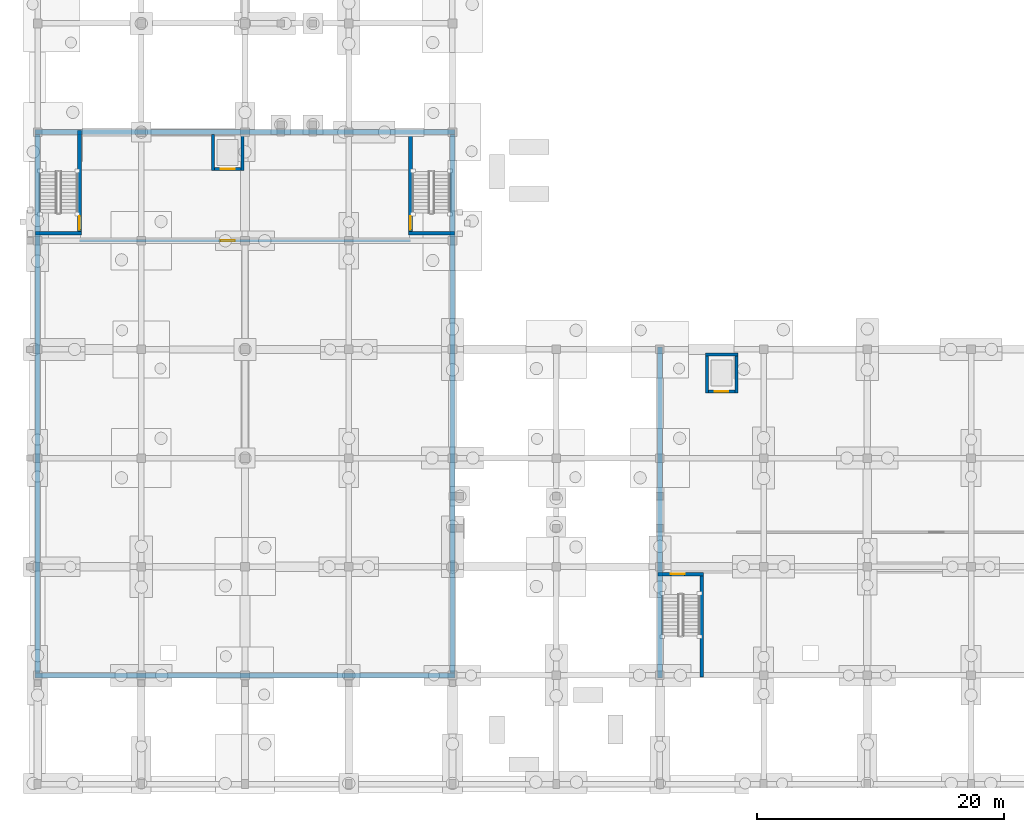
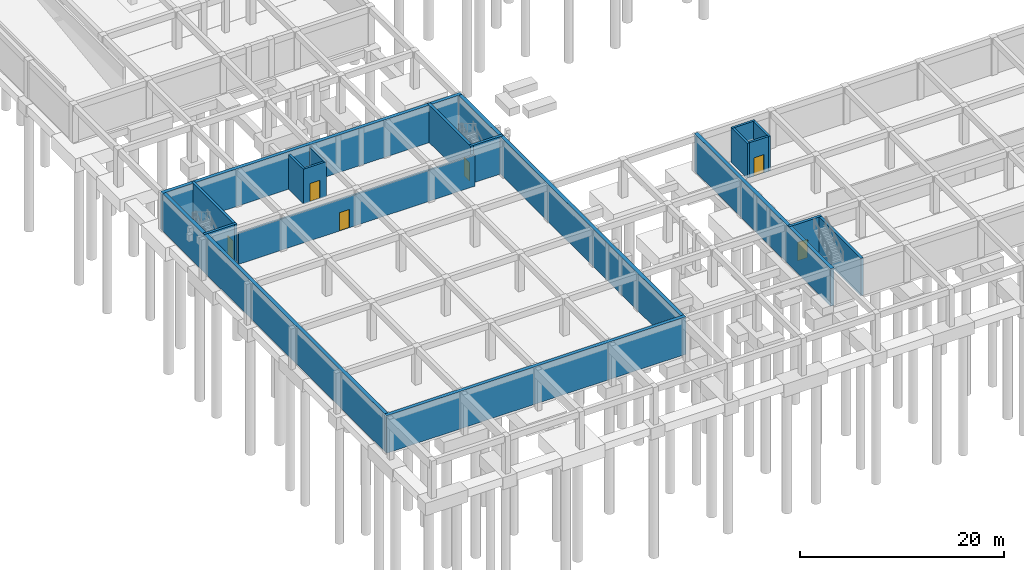
# One storey, part 23 of 41: 19 walls, 6 doors, 6 openings.
"""IFC4 building model written with IfcOpenShell, lengths in metres."""

from ifc_helpers import new_model, si_unit, direction, frame, frame_2d, origin, place, context, subcontext, project, spatial, rectangle, extrude, material, layer, layer_set, type_object, element, fill, save


model = new_model("IFC4")

# Units and contexts
model_context = context("Model", 3, precision=1e-05, world=origin(), true_north=direction((0.0, 1.0)))
body_context = subcontext(model_context, "Body", "Model", "MODEL_VIEW")
ifc_project = project(units=[si_unit("LENGTHUNIT", "METRE"), si_unit("AREAUNIT", "SQUARE_METRE"), si_unit("VOLUMEUNIT", "CUBIC_METRE"), si_unit("PLANEANGLEUNIT", "RADIAN"), si_unit("MASSUNIT", "GRAM", prefix="KILO")], contexts=[model_context])

# Site, building, storey
site_placement = place(None, origin())
site = spatial("IfcSite", under=ifc_project, at=site_placement, CompositionType="ELEMENT")
building_placement = place(site_placement, origin())
building = spatial("IfcBuilding", under=site, at=building_placement, Name="Kemercrest Conservatory and Botanical Centre", CompositionType="ELEMENT")
storey_placement = place(building_placement, frame((0.0, 0.0, -4.5)))
storey = spatial("IfcBuildingStorey", under=building, at=storey_placement, Name="B1", CompositionType="ELEMENT", Elevation=-4.5)

# Wall
ifc_material_1 = material(Name="Concrete C50/60", Category="concrete")
ifc_layer_1 = layer(ifc_material_1, 0.300048828125)
ifc_layer_set_1 = layer_set([ifc_layer_1], Name="Concrete C50/60")
wall_type_1 = type_object("IfcWallType", Name="CW-STAIR", PredefinedType="SHEAR", material=ifc_layer_set_1)
wall_1_placement = place(storey_placement, frame((7.85009765625, 52.60009765625, 0.0), z_axis=(0.0, 0.0, 1.0), x_axis=(1.0, 0.0, 0.0)))
element("IfcWall", 1, at=wall_1_placement, inside=storey, type_object=wall_type_1, Name="Stair core ST-V1A shear wall S", PredefinedType="SHEAR", context=body_context, shape_type="SweptSolid", body=[
    extrude(rectangle(XDim=3.699951171875, YDim=0.300048828125, at=frame_2d((1.85009765625, 0.0))), origin(), (0.0, 0.0, 1.0), 4.5),
])

# Wall, opening, door
wall_2_placement = place(storey_placement, frame((11.39990234375, 52.449951171875, 0.0), z_axis=(0.0, 0.0, 1.0), x_axis=(0.0, 1.0, 0.0)))
wall_2 = element("IfcWall", 2, at=wall_2_placement, inside=storey, type_object=wall_type_1, Name="Stair core ST-V1A shear wall E", PredefinedType="SHEAR", context=body_context, shape_type="SweptSolid", body=[
    extrude(rectangle(XDim=8.5, YDim=0.300048828125, at=frame_2d((4.25, 0.0))), origin(), (0.0, 0.0, 1.0), 4.5),
])
opening_1_placement = place(wall_2_placement, frame((0.449951171875, 0.0, 0.0)))
opening_1 = element("IfcOpeningElement", 3, at=opening_1_placement, cuts=wall_2, Name="Opening D001", PredefinedType="OPENING", context=body_context, shape_type="SweptSolid", body=[
    extrude(rectangle(XDim=1.10009765625, YDim=2.199951171875, at=frame_2d((0.550048828125, 1.10009765625))), frame((0.0, 0.16015625, 0.0), z_axis=(0.0, -1.0, 0.0), x_axis=(1.0, 0.0, 0.0)), (0.0, 0.0, 1.0), 0.320068359375),
])
ifc_material_2 = material(Name="Powder-coated galvanized steel and fire-rated vision glass", Category="steel")
door_type_1 = type_object("IfcDoorType", Name="DT-FD90", OperationType="NOTDEFINED", PredefinedType="DOOR", material=ifc_material_2)
door_1_placement = place(opening_1_placement, origin())
door_1 = element("IfcDoor", 4, at=door_1_placement, inside=storey, type_object=door_type_1, Name="Exit stair ST-V1A fire door D001", OperationType="SINGLE_SWING_LEFT", OverallHeight=2.199951171875, OverallWidth=1.10009765625, PredefinedType="DOOR", context=body_context, shape_type="SweptSolid", body=[
    extrude(rectangle(XDim=1.10009765625, YDim=2.199951171875, at=frame_2d((0.550048828125, 1.10009765625))), frame((0.0, 0.02490234375, 0.0), z_axis=(0.0, -1.0, 0.0), x_axis=(1.0, 0.0, 0.0)), (0.0, 0.0, 1.0), 0.050048828125),
])
fill(opening_1, door_1)

# Wall
wall_3_placement = place(storey_placement, frame((38.050048828125, 52.60009765625, 0.0), z_axis=(0.0, 0.0, 1.0), x_axis=(1.0, 0.0, 0.0)))
element("IfcWall", 5, at=wall_3_placement, inside=storey, type_object=wall_type_1, Name="Stair core ST-V1B shear wall S", PredefinedType="SHEAR", context=body_context, shape_type="SweptSolid", body=[
    extrude(rectangle(XDim=3.699951171875, YDim=0.300048828125, at=frame_2d((1.85009765625, 0.0))), origin(), (0.0, 0.0, 1.0), 4.5),
])

# Wall, opening, door
wall_4_placement = place(storey_placement, frame((38.199951171875, 52.449951171875, 0.0), z_axis=(0.0, 0.0, 1.0), x_axis=(0.0, 1.0, 0.0)))
wall_4 = element("IfcWall", 6, at=wall_4_placement, inside=storey, type_object=wall_type_1, Name="Stair core ST-V1B shear wall W", PredefinedType="SHEAR", context=body_context, shape_type="SweptSolid", body=[
    extrude(rectangle(XDim=8.5, YDim=0.300048828125, at=frame_2d((4.25, 0.0))), origin(), (0.0, 0.0, 1.0), 4.5),
])
opening_2_placement = place(wall_4_placement, frame((0.449951171875, 0.0, 0.0)))
opening_2 = element("IfcOpeningElement", 7, at=opening_2_placement, cuts=wall_4, Name="Opening D004", PredefinedType="OPENING", context=body_context, shape_type="SweptSolid", body=[
    extrude(rectangle(XDim=1.10009765625, YDim=2.199951171875, at=frame_2d((0.550048828125, 1.10009765625))), frame((0.0, 0.16015625, 0.0), z_axis=(0.0, -1.0, 0.0), x_axis=(1.0, 0.0, 0.0)), (0.0, 0.0, 1.0), 0.320068359375),
])
door_2_placement = place(opening_2_placement, origin())
door_2 = element("IfcDoor", 8, at=door_2_placement, inside=storey, type_object=door_type_1, Name="Exit stair ST-V1B fire door D004", OperationType="SINGLE_SWING_RIGHT", OverallHeight=2.199951171875, OverallWidth=1.10009765625, PredefinedType="DOOR", context=body_context, shape_type="SweptSolid", body=[
    extrude(rectangle(XDim=1.10009765625, YDim=2.199951171875, at=frame_2d((0.550048828125, 1.10009765625))), frame((0.0, 0.02490234375, 0.0), z_axis=(0.0, -1.0, 0.0), x_axis=(1.0, 0.0, 0.0)), (0.0, 0.0, 1.0), 0.050048828125),
])
fill(opening_2, door_2)

wall_5_placement = place(storey_placement, frame((58.25, 25.0, 0.0), z_axis=(0.0, 0.0, 1.0), x_axis=(1.0, 0.0, 0.0)))
wall_5 = element("IfcWall", 9, at=wall_5_placement, inside=storey, type_object=wall_type_1, Name="Stair core ST-V2A shear wall N", PredefinedType="SHEAR", context=body_context, shape_type="SweptSolid", body=[
    extrude(rectangle(XDim=3.699951171875, YDim=0.300048828125, at=frame_2d((1.85009765625, 0.0))), origin(), (0.0, 0.0, 1.0), 4.5),
])
opening_3_placement = place(wall_5_placement, frame((1.050048828125, 0.0, 0.0)))
opening_3 = element("IfcOpeningElement", 10, at=opening_3_placement, cuts=wall_5, Name="Opening D007", PredefinedType="OPENING", context=body_context, shape_type="SweptSolid", body=[
    extrude(rectangle(XDim=1.10009765625, YDim=2.199951171875, at=frame_2d((0.550048828125, 1.10009765625))), frame((0.0, 0.16015625, 0.0), z_axis=(0.0, -1.0, 0.0), x_axis=(1.0, 0.0, 0.0)), (0.0, 0.0, 1.0), 0.320068359375),
])
door_3_placement = place(opening_3_placement, origin())
door_3 = element("IfcDoor", 11, at=door_3_placement, inside=storey, type_object=door_type_1, Name="Exit stair ST-V2A fire door D007", OperationType="SINGLE_SWING_LEFT", OverallHeight=2.199951171875, OverallWidth=1.10009765625, PredefinedType="DOOR", context=body_context, shape_type="SweptSolid", body=[
    extrude(rectangle(XDim=1.10009765625, YDim=2.199951171875, at=frame_2d((0.550048828125, 1.10009765625))), frame((0.0, 0.02490234375, 0.0), z_axis=(0.0, -1.0, 0.0), x_axis=(1.0, 0.0, 0.0)), (0.0, 0.0, 1.0), 0.050048828125),
])
fill(opening_3, door_3)

# Wall
wall_6_placement = place(storey_placement, frame((61.800048828125, 16.64990234375, 0.0), z_axis=(0.0, 0.0, 1.0), x_axis=(0.0, 1.0, 0.0)))
element("IfcWall", 12, at=wall_6_placement, inside=storey, type_object=wall_type_1, Name="Stair core ST-V2A shear wall E", PredefinedType="SHEAR", context=body_context, shape_type="SweptSolid", body=[
    extrude(rectangle(XDim=8.5, YDim=0.300048828125, at=frame_2d((4.25, 0.0))), origin(), (0.0, 0.0, 1.0), 4.5),
])

# Wall, opening, door
ifc_material_3 = material(Name="Concrete C40/50", Category="concrete")
ifc_layer_2 = layer(ifc_material_3, 0.199951171875)
ifc_layer_set_2 = layer_set([ifc_layer_2], Name="Concrete C40/50")
wall_type_2 = type_object("IfcWallType", Name="W-FIRE", PredefinedType="PARTITIONING", material=ifc_layer_set_2)
wall_7_placement = place(storey_placement, frame((11.39990234375, 52.0, 0.0), z_axis=(0.0, 0.0, 1.0), x_axis=(1.0, 0.0, 0.0)))
wall_7 = element("IfcWall", 13, at=wall_7_placement, inside=storey, type_object=wall_type_2, Name="Interior partition W-FIRE #1", PredefinedType="PARTITIONING", context=body_context, shape_type="SweptSolid", body=[
    extrude(rectangle(XDim=26.800048828125, YDim=0.199951171875, at=frame_2d((13.39990234375, 0.0))), origin(), (0.0, 0.0, 1.0), 3.7451171875),
])
opening_4_placement = place(wall_7_placement, frame((11.425048828125, 0.0, 0.0)))
opening_4 = element("IfcOpeningElement", 14, at=opening_4_placement, cuts=wall_7, Name="Opening D105", PredefinedType="OPENING", context=body_context, shape_type="SweptSolid", body=[
    extrude(rectangle(XDim=1.14990234375, YDim=2.199951171875, at=frame_2d((0.574951171875, 1.10009765625))), frame((0.0, 0.10986328125, 0.0), z_axis=(0.0, -1.0, 0.0), x_axis=(1.0, 0.0, 0.0)), (0.0, 0.0, 1.0), 0.219970703125),
])
door_type_2 = type_object("IfcDoorType", Name="DT-FD60", OperationType="NOTDEFINED", PredefinedType="DOOR", material=ifc_material_2)
door_4_placement = place(opening_4_placement, origin())
door_4 = element("IfcDoor", 15, at=door_4_placement, inside=storey, type_object=door_type_2, Name="Rainwater Harvesting Cistern and Irrigation Plant door D105", OperationType="SINGLE_SWING_LEFT", OverallHeight=2.199951171875, OverallWidth=1.14990234375, PredefinedType="DOOR", context=body_context, shape_type="SweptSolid", body=[
    extrude(rectangle(XDim=1.14990234375, YDim=2.199951171875, at=frame_2d((0.574951171875, 1.10009765625))), frame((0.0, 0.02490234375, 0.0), z_axis=(0.0, -1.0, 0.0), x_axis=(1.0, 0.0, 0.0)), (0.0, 0.0, 1.0), 0.050048828125),
])
fill(opening_4, door_4)

# Walls
ifc_layer_3 = layer(ifc_material_3, 0.39990234375)
ifc_layer_set_3 = layer_set([ifc_layer_3], Name="Concrete C40/50")
wall_type_3 = type_object("IfcWallType", Name="W-RET400", PredefinedType="USERDEFINED", material=ifc_layer_set_3)
wall_8_placement = place(storey_placement, frame((7.800048828125, 16.800048828125, 0.0), z_axis=(0.0, 0.0, 1.0), x_axis=(1.0, 0.0, 0.0)))
element("IfcWall", 16, at=wall_8_placement, inside=storey, type_object=wall_type_3, Name="Basement perimeter retaining wall #1", ObjectType="RETAINING WALL", PredefinedType="USERDEFINED", context=body_context, shape_type="SweptSolid", body=[
    extrude(rectangle(XDim=34.0, YDim=0.39990234375, at=frame_2d((17.0, 0.0))), origin(), (0.0, 0.0, 1.0), 4.5),
])
wall_9_placement = place(storey_placement, frame((41.60009765625, 16.60009765625, 0.0), z_axis=(0.0, 0.0, 1.0), x_axis=(0.0, 1.0, 0.0)))
element("IfcWall", 17, at=wall_9_placement, inside=storey, type_object=wall_type_3, Name="Basement perimeter retaining wall #2", ObjectType="RETAINING WALL", PredefinedType="USERDEFINED", context=body_context, shape_type="SweptSolid", body=[
    extrude(rectangle(XDim=44.39990234375, YDim=0.39990234375, at=frame_2d((22.199951171875, 0.0))), origin(), (0.0, 0.0, 1.0), 4.5),
])
wall_10_placement = place(storey_placement, frame((41.800048828125, 60.800048828125, 0.0), z_axis=(0.0, 0.0, 1.0), x_axis=(-1.0, 0.0, 0.0)))
element("IfcWall", 18, at=wall_10_placement, inside=storey, type_object=wall_type_3, Name="Basement perimeter retaining wall #3", ObjectType="RETAINING WALL", PredefinedType="USERDEFINED", context=body_context, shape_type="SweptSolid", body=[
    extrude(rectangle(XDim=34.0, YDim=0.39990234375, at=frame_2d((17.0, 0.0))), origin(), (0.0, 0.0, 1.0), 4.5),
])
wall_11_placement = place(storey_placement, frame((8.0, 61.0, 0.0), z_axis=(0.0, 0.0, 1.0), x_axis=(0.0, -1.0, 0.0)))
element("IfcWall", 19, at=wall_11_placement, inside=storey, type_object=wall_type_3, Name="Basement perimeter retaining wall #4", ObjectType="RETAINING WALL", PredefinedType="USERDEFINED", context=body_context, shape_type="SweptSolid", body=[
    extrude(rectangle(XDim=44.39990234375, YDim=0.39990234375, at=frame_2d((22.199951171875, 0.0))), origin(), (0.0, 0.0, 1.0), 4.5),
])
wall_12_placement = place(storey_placement, frame((58.39990234375, 43.39990234375, 0.0), z_axis=(0.0, 0.0, 1.0), x_axis=(0.0, -1.0, 0.0)))
element("IfcWall", 20, at=wall_12_placement, inside=storey, type_object=wall_type_3, Name="Basement perimeter retaining wall #8", ObjectType="RETAINING WALL", PredefinedType="USERDEFINED", context=body_context, shape_type="SweptSolid", body=[
    extrude(rectangle(XDim=26.7998046875, YDim=0.39990234375, at=frame_2d((13.39990234375, 0.0))), origin(), (0.0, 0.0, 1.0), 4.5),
])

# Wall, opening, door
ifc_layer_4 = layer(ifc_material_3, 0.25)
ifc_layer_set_4 = layer_set([ifc_layer_4], Name="Concrete C40/50")
wall_type_4 = type_object("IfcWallType", Name="W-SHFT250", PredefinedType="SOLIDWALL", material=ifc_layer_set_4)
wall_13_placement = place(storey_placement, frame((22.074951171875, 57.800048828125, 0.0), z_axis=(0.0, 0.0, 1.0), x_axis=(1.0, 0.0, 0.0)))
wall_13 = element("IfcWall", 21, at=wall_13_placement, inside=storey, type_object=wall_type_4, Name="Elevator LF-V1 shaft wall south", PredefinedType="SOLIDWALL", context=body_context, shape_type="SweptSolid", body=[
    extrude(rectangle(XDim=2.650146484375, YDim=0.25, at=frame_2d((1.3251953125, 0.0))), origin(), (0.0, 0.0, 1.0), 4.179931640625),
])
opening_5_placement = place(wall_13_placement, frame((0.77490234375, 0.0, 0.0)))
opening_5 = element("IfcOpeningElement", 22, at=opening_5_placement, cuts=wall_13, Name="Opening LD-093", PredefinedType="OPENING", context=body_context, shape_type="SweptSolid", body=[
    extrude(rectangle(XDim=1.10009765625, YDim=2.199951171875, at=frame_2d((0.550048828125, 1.10009765625))), frame((0.0, 0.135009765625, 0.0), z_axis=(0.0, -1.0, 0.0), x_axis=(1.0, 0.0, 0.0)), (0.0, 0.0, 1.0), 0.27001953125),
])
door_type_3 = type_object("IfcDoorType", Name="DT-LD01", OperationType="SLIDING_TO_LEFT", PredefinedType="DOOR", material=ifc_material_2)
door_5_placement = place(opening_5_placement, origin())
door_5 = element("IfcDoor", 23, at=door_5_placement, inside=storey, type_object=door_type_3, Name="Elevator LF-V1 sliding landing door LD-093", OperationType="SLIDING_TO_LEFT", OverallHeight=2.199951171875, OverallWidth=1.10009765625, PredefinedType="DOOR", context=body_context, shape_type="SweptSolid", body=[
    extrude(rectangle(XDim=1.10009765625, YDim=2.199951171875, at=frame_2d((0.550048828125, 1.10009765625))), frame((0.0, 0.02490234375, 0.0), z_axis=(0.0, -1.0, 0.0), x_axis=(1.0, 0.0, 0.0)), (0.0, 0.0, 1.0), 0.050048828125),
])
fill(opening_5, door_5)

# Walls
for number, where, z_axis, x_axis, name in (
    (24, (22.199951171875, 57.675048828125, 0.0), (0.0, 0.0, 1.0), (0.0, 1.0, 0.0), "Elevator LF-V1 shaft wall west"),
    (25, (24.60009765625, 57.675048828125, 0.0), (0.0, 0.0, 1.0), (0.0, 1.0, 0.0), "Elevator LF-V1 shaft wall east"),
):
    element("IfcWall", number, at=place(storey_placement, frame(where, z_axis=z_axis, x_axis=x_axis)), inside=storey, type_object=wall_type_4, Name=name, PredefinedType="SOLIDWALL", context=body_context, shape_type="SweptSolid", body=[
        extrude(rectangle(XDim=2.949951171875, YDim=0.25, at=frame_2d((1.47509765625, 0.0))), origin(), (0.0, 0.0, 1.0), 4.179931640625),
    ])

# Wall, opening, door
wall_14_placement = place(storey_placement, frame((62.074951171875, 39.800048828125, 0.0), z_axis=(0.0, 0.0, 1.0), x_axis=(1.0, 0.0, 0.0)))
wall_14 = element("IfcWall", 26, at=wall_14_placement, inside=storey, type_object=wall_type_4, Name="Elevator LF-V2 shaft wall south", PredefinedType="SOLIDWALL", context=body_context, shape_type="SweptSolid", body=[
    extrude(rectangle(XDim=2.650146484375, YDim=0.25, at=frame_2d((1.3251953125, 0.0))), origin(), (0.0, 0.0, 1.0), 4.179931640625),
])
opening_6_placement = place(wall_14_placement, frame((0.77490234375, 0.0, 0.0)))
opening_6 = element("IfcOpeningElement", 27, at=opening_6_placement, cuts=wall_14, Name="Opening LD-096", PredefinedType="OPENING", context=body_context, shape_type="SweptSolid", body=[
    extrude(rectangle(XDim=1.10009765625, YDim=2.199951171875, at=frame_2d((0.550048828125, 1.10009765625))), frame((0.0, 0.135009765625, 0.0), z_axis=(0.0, -1.0, 0.0), x_axis=(1.0, 0.0, 0.0)), (0.0, 0.0, 1.0), 0.27001953125),
])
door_6_placement = place(opening_6_placement, origin())
door_6 = element("IfcDoor", 28, at=door_6_placement, inside=storey, type_object=door_type_3, Name="Elevator LF-V2 sliding landing door LD-096", OperationType="SLIDING_TO_LEFT", OverallHeight=2.199951171875, OverallWidth=1.10009765625, PredefinedType="DOOR", context=body_context, shape_type="SweptSolid", body=[
    extrude(rectangle(XDim=1.10009765625, YDim=2.199951171875, at=frame_2d((0.550048828125, 1.10009765625))), frame((0.0, 0.02490234375, 0.0), z_axis=(0.0, -1.0, 0.0), x_axis=(1.0, 0.0, 0.0)), (0.0, 0.0, 1.0), 0.050048828125),
])
fill(opening_6, door_6)

# Walls
wall_15_placement = place(storey_placement, frame((62.074951171875, 42.800048828125, 0.0), z_axis=(0.0, 0.0, 1.0), x_axis=(1.0, 0.0, 0.0)))
element("IfcWall", 29, at=wall_15_placement, inside=storey, type_object=wall_type_4, Name="Elevator LF-V2 shaft wall north", PredefinedType="SOLIDWALL", context=body_context, shape_type="SweptSolid", body=[
    extrude(rectangle(XDim=2.650146484375, YDim=0.25, at=frame_2d((1.3251953125, 0.0))), origin(), (0.0, 0.0, 1.0), 4.179931640625),
])
for number, where, z_axis, x_axis, name in (
    (30, (62.199951171875, 39.675048828125, 0.0), (0.0, 0.0, 1.0), (0.0, 1.0, 0.0), "Elevator LF-V2 shaft wall west"),
    (31, (64.60009765625, 39.675048828125, 0.0), (0.0, 0.0, 1.0), (0.0, 1.0, 0.0), "Elevator LF-V2 shaft wall east"),
):
    element("IfcWall", number, at=place(storey_placement, frame(where, z_axis=z_axis, x_axis=x_axis)), inside=storey, type_object=wall_type_4, Name=name, PredefinedType="SOLIDWALL", context=body_context, shape_type="SweptSolid", body=[
        extrude(rectangle(XDim=3.25, YDim=0.25, at=frame_2d((1.625, 0.0))), origin(), (0.0, 0.0, 1.0), 4.179931640625),
    ])

save(model, "model.ifc")
